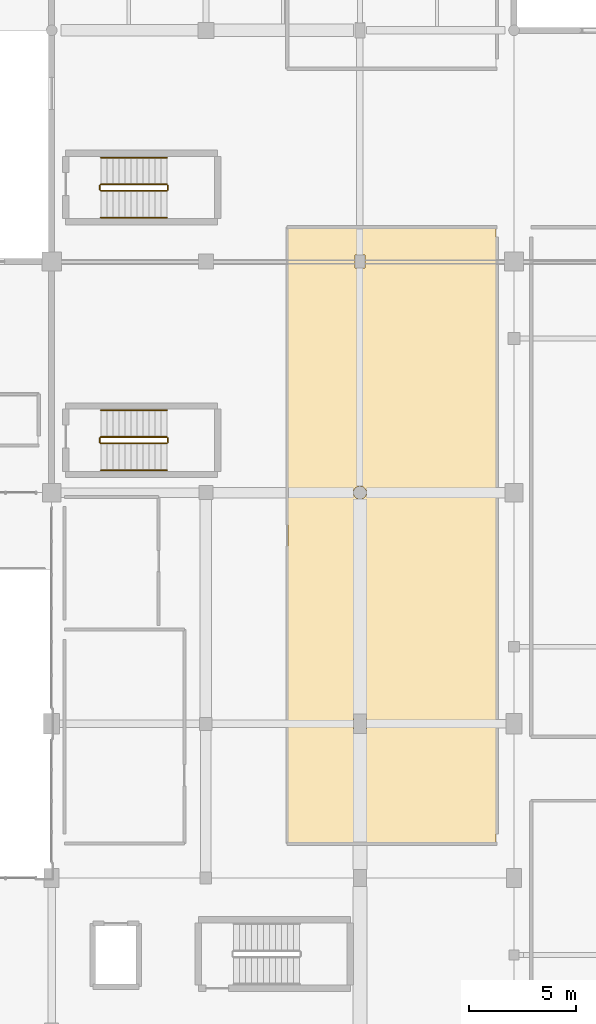
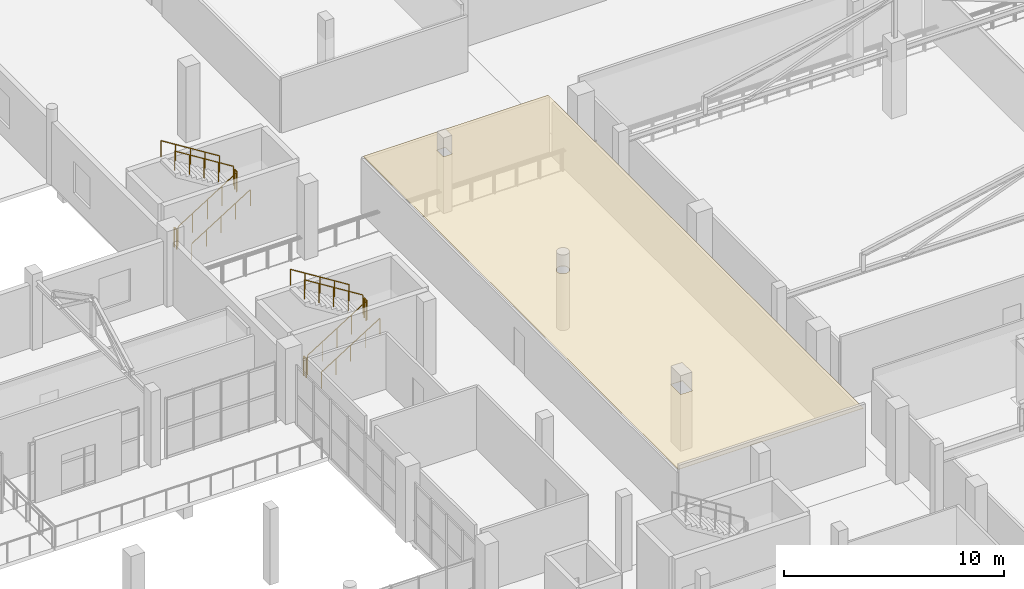
# One storey, part 88 of 92: 12 railings, 1 covering.
"""IFC4 building model written with IfcOpenShell, lengths in metres."""

from ifc_helpers import new_model, si_unit, direction, frame, origin, origin_2d, place, context, subcontext, project, spatial, polyline, circle, outline, extrude, material, layer, layer_set, type_object, element, save


model = new_model("IFC4")

# Units and contexts
model_context = context("Model", 3, precision=1e-05, world=origin(), true_north=direction((0.0, 1.0)))
body_context = subcontext(model_context, "Body", "Model", "MODEL_VIEW")
ifc_project = project(units=[si_unit("LENGTHUNIT", "METRE"), si_unit("AREAUNIT", "SQUARE_METRE"), si_unit("VOLUMEUNIT", "CUBIC_METRE"), si_unit("PLANEANGLEUNIT", "RADIAN"), si_unit("MASSUNIT", "GRAM", prefix="KILO")], contexts=[model_context])

# Site, building, storey
site_placement = place(None, origin())
site = spatial("IfcSite", under=ifc_project, at=site_placement, CompositionType="ELEMENT")
building_placement = place(site_placement, origin())
building = spatial("IfcBuilding", under=site, at=building_placement, Name="Solanera Park Tramway Depot", CompositionType="ELEMENT")
storey_placement = place(building_placement, frame((0.0, 0.0, 4.800048828125)))
storey = spatial("IfcBuildingStorey", under=building, at=storey_placement, Name="L01", CompositionType="ELEMENT", Elevation=4.800048828125)

# Covering
ifc_material_1 = material(Name="Acoustic perforated plasterboard and mineral-fibre ceiling")
ifc_layer_1 = layer(ifc_material_1, 0.02001953125)
ifc_layer_set_1 = layer_set([ifc_layer_1], Name="Acoustic perforated plasterboard and mineral-fibre ceiling")
covering_type = type_object("IfcCoveringType", Name="Acoustic Mineral-Fibre Ceiling 20", PredefinedType="CEILING", material=ifc_layer_set_1)
covering_placement = place(storey_placement, frame((0.0, 0.0, 3.14990234375)))
element("IfcCovering", 1, at=covering_placement, inside=storey, type_object=covering_type, Name="Fleet Maintenance Engineering Open Plan Acoustic Ceiling", PredefinedType="CEILING", context=body_context, shape_type="SweptSolid", body=[
    extrude(outline(polyline([(186.360107421875, 55.56005859375), (186.360107421875, 26.840087890625), (176.639892578125, 26.840087890625), (176.639892578125, 55.56005859375), (186.360107421875, 55.56005859375)]), holes=[polyline([(179.697021484375, 32.85302734375), (179.697021484375, 31.947021484375), (180.302978515625, 31.947021484375), (180.302978515625, 32.85302734375), (179.697021484375, 32.85302734375)]), polyline([(180.27978515625, 43.31591796875), (180.251953125, 43.368408203125), (180.21435546875, 43.414306640625), (180.168212890625, 43.451904296875), (180.115966796875, 43.47998046875), (180.05908203125, 43.497314453125), (180.0, 43.5029296875), (179.94091796875, 43.497314453125), (179.884033203125, 43.47998046875), (179.831787109375, 43.451904296875), (179.78564453125, 43.414306640625), (179.748046875, 43.368408203125), (179.72021484375, 43.31591796875), (179.702880859375, 43.259033203125), (179.697021484375, 43.199951171875), (179.702880859375, 43.140869140625), (179.72021484375, 43.083984375), (179.748046875, 43.03173828125), (179.78564453125, 42.985595703125), (179.831787109375, 42.947998046875), (179.884033203125, 42.920166015625), (179.94091796875, 42.90283203125), (180.0, 42.89697265625), (180.05908203125, 42.90283203125), (180.115966796875, 42.920166015625), (180.168212890625, 42.947998046875), (180.21435546875, 42.985595703125), (180.251953125, 43.03173828125), (180.27978515625, 43.083984375), (180.297119140625, 43.140869140625), (180.302978515625, 43.199951171875), (180.297119140625, 43.259033203125), (180.27978515625, 43.31591796875)]), polyline([(180.22802734375, 53.697021484375), (180.22802734375, 54.302978515625), (179.77197265625, 54.302978515625), (179.77197265625, 53.697021484375), (180.22802734375, 53.697021484375)])]), origin(), (0.0, 0.0, 1.0), 0.02001953125),
])

# Railings
ifc_material_2 = material(Name="Brushed stainless steel 316 handrail", Category="steel")
ifc_layer_2 = layer(ifc_material_2, 0.050048828125)
ifc_layer_set_2 = layer_set([ifc_layer_2], Name="Brushed stainless steel 316 handrail")
railing_type_1 = type_object("IfcRailingType", Name="Stair Pitch Tubular Handrail 920", PredefinedType="HANDRAIL", material=ifc_layer_set_2)
railing_1_placement = place(storey_placement, frame((167.89990234375, 44.25, 0.175048828125)))
element("IfcRailing", 2, at=railing_1_placement, inside=storey, type_object=railing_type_1, Name="ST-05 L01 Pitch Handrail 1", PredefinedType="HANDRAIL", context=body_context, shape_type="SweptSolid", body=[
    extrude(circle(Radius=0.02392578125, at=origin_2d()), frame((0.0, 0.0, 0.89599609375), z_axis=(0.848028513186, 0.0, 0.529950602248), x_axis=(0.0, 1.0, 0.0)), (0.0, 0.0, 1.0), 3.632080078125),
    extrude(circle(Radius=0.02099609375, at=origin_2d()), origin(), (0.0, 0.0, 1.0), 0.871826171875),
    extrude(circle(Radius=0.02099609375, at=origin_2d()), frame((0.77001953125, 0.0, 0.481201171875)), (0.0, 0.0, 1.0), 0.871826171875),
    extrude(circle(Radius=0.02099609375, at=origin_2d()), frame((1.5400390625, 0.0, 0.96240234375)), (0.0, 0.0, 1.0), 0.871826171875),
    extrude(circle(Radius=0.02099609375, at=origin_2d()), frame((2.31005859375, 0.0, 1.443603515625)), (0.0, 0.0, 1.0), 0.871826171875),
    extrude(circle(Radius=0.02099609375, at=origin_2d()), frame((3.080078125, 0.0, 1.9248046875)), (0.0, 0.0, 1.0), 0.871826171875),
])
railing_2_placement = place(storey_placement, frame((170.97998046875, 47.050048828125, 2.27490234375)))
element("IfcRailing", 3, at=railing_2_placement, inside=storey, type_object=railing_type_1, Name="ST-05 L01 Pitch Handrail 2", PredefinedType="HANDRAIL", context=body_context, shape_type="SweptSolid", body=[
    extrude(circle(Radius=0.02392578125, at=origin_2d()), frame((0.0, 0.0, 0.89599609375), z_axis=(-0.847998304005, 0.0, 0.529998940003), x_axis=(0.0, -1.0, 0.0)), (0.0, 0.0, 1.0), 3.632080078125),
    extrude(circle(Radius=0.02099609375, at=origin_2d()), origin(), (0.0, 0.0, 1.0), 0.871826171875),
    extrude(circle(Radius=0.02099609375, at=origin_2d()), frame((-0.77001953125, 0.0, 0.481201171875)), (0.0, 0.0, 1.0), 0.871826171875),
    extrude(circle(Radius=0.02099609375, at=origin_2d()), frame((-1.5400390625, 0.0, 0.96240234375)), (0.0, 0.0, 1.0), 0.871826171875),
    extrude(circle(Radius=0.02099609375, at=origin_2d()), frame((-2.31005859375, 0.0, 1.44384765625)), (0.0, 0.0, 1.0), 0.871826171875),
    extrude(circle(Radius=0.02099609375, at=origin_2d()), frame((-3.080078125, 0.0, 1.925048828125)), (0.0, 0.0, 1.0), 0.871826171875),
])
railing_3_placement = place(storey_placement, frame((167.89990234375, 56.050048828125, 0.175048828125)))
element("IfcRailing", 4, at=railing_3_placement, inside=storey, type_object=railing_type_1, Name="ST-06 L01 Pitch Handrail 1", PredefinedType="HANDRAIL", context=body_context, shape_type="SweptSolid", body=[
    extrude(circle(Radius=0.02392578125, at=origin_2d()), frame((0.0, 0.0, 0.89599609375), z_axis=(0.848028513186, 0.0, 0.529950602248), x_axis=(0.0, 1.0, 0.0)), (0.0, 0.0, 1.0), 3.632080078125),
    extrude(circle(Radius=0.02099609375, at=origin_2d()), origin(), (0.0, 0.0, 1.0), 0.871826171875),
    extrude(circle(Radius=0.02099609375, at=origin_2d()), frame((0.77001953125, 0.0, 0.481201171875)), (0.0, 0.0, 1.0), 0.871826171875),
    extrude(circle(Radius=0.02099609375, at=origin_2d()), frame((1.5400390625, 0.0, 0.96240234375)), (0.0, 0.0, 1.0), 0.871826171875),
    extrude(circle(Radius=0.02099609375, at=origin_2d()), frame((2.31005859375, 0.0, 1.443603515625)), (0.0, 0.0, 1.0), 0.871826171875),
    extrude(circle(Radius=0.02099609375, at=origin_2d()), frame((3.080078125, 0.0, 1.9248046875)), (0.0, 0.0, 1.0), 0.871826171875),
])
railing_4_placement = place(storey_placement, frame((170.97998046875, 58.85009765625, 2.27490234375)))
element("IfcRailing", 5, at=railing_4_placement, inside=storey, type_object=railing_type_1, Name="ST-06 L01 Pitch Handrail 2", PredefinedType="HANDRAIL", context=body_context, shape_type="SweptSolid", body=[
    extrude(circle(Radius=0.02392578125, at=origin_2d()), frame((0.0, 0.0, 0.89599609375), z_axis=(-0.847998304005, 0.0, 0.529998940003), x_axis=(0.0, -1.0, 0.0)), (0.0, 0.0, 1.0), 3.632080078125),
    extrude(circle(Radius=0.02099609375, at=origin_2d()), origin(), (0.0, 0.0, 1.0), 0.871826171875),
    extrude(circle(Radius=0.02099609375, at=origin_2d()), frame((-0.77001953125, 0.0, 0.481201171875)), (0.0, 0.0, 1.0), 0.871826171875),
    extrude(circle(Radius=0.02099609375, at=origin_2d()), frame((-1.5400390625, 0.0, 0.96240234375)), (0.0, 0.0, 1.0), 0.871826171875),
    extrude(circle(Radius=0.02099609375, at=origin_2d()), frame((-2.31005859375, 0.0, 1.44384765625)), (0.0, 0.0, 1.0), 0.871826171875),
    extrude(circle(Radius=0.02099609375, at=origin_2d()), frame((-3.080078125, 0.0, 1.925048828125)), (0.0, 0.0, 1.0), 0.871826171875),
])
ifc_material_3 = material(Name="Steel AS/NZS 1163 Grade C350L0", Category="steel")
ifc_layer_3 = layer(ifc_material_3, 0.06005859375)
ifc_layer_set_3 = layer_set([ifc_layer_3], Name="Steel AS/NZS 1163 Grade C350L0")
railing_type_2 = type_object("IfcRailingType", Name="Stairwell Guardrail 1100", PredefinedType="GUARDRAIL", material=ifc_layer_set_3)
railing_5_placement = place(storey_placement, frame((167.89990234375, 45.5, 0.175048828125)))
element("IfcRailing", 6, at=railing_5_placement, inside=storey, type_object=railing_type_2, Name="ST-05 L01 Well Guard 1", PredefinedType="GUARDRAIL", context=body_context, shape_type="SweptSolid", body=[
    extrude(circle(Radius=0.02392578125, at=origin_2d()), frame((0.0, 0.0, 1.076171875), z_axis=(0.848028513186, 0.0, 0.529950602248), x_axis=(0.0, 1.0, 0.0)), (0.0, 0.0, 1.0), 3.632080078125),
    extrude(circle(Radius=0.02099609375, at=origin_2d()), origin(), (0.0, 0.0, 1.0), 1.052001953125),
    extrude(circle(Radius=0.02099609375, at=origin_2d()), frame((0.77001953125, 0.0, 0.481201171875)), (0.0, 0.0, 1.0), 1.052001953125),
    extrude(circle(Radius=0.02099609375, at=origin_2d()), frame((1.5400390625, 0.0, 0.96240234375)), (0.0, 0.0, 1.0), 1.052001953125),
    extrude(circle(Radius=0.02099609375, at=origin_2d()), frame((2.31005859375, 0.0, 1.443603515625)), (0.0, 0.0, 1.0), 1.052001953125),
    extrude(circle(Radius=0.02099609375, at=origin_2d()), frame((3.080078125, 0.0, 1.9248046875)), (0.0, 0.0, 1.0), 1.052001953125),
])
railing_6_placement = place(storey_placement, frame((171.030029296875, 45.550048828125, 2.099853515625)))
element("IfcRailing", 7, at=railing_6_placement, inside=storey, type_object=railing_type_2, Name="ST-05 L01 Well Guard 2", PredefinedType="GUARDRAIL", context=body_context, shape_type="SweptSolid", body=[
    extrude(circle(Radius=0.02392578125, at=origin_2d()), frame((0.0, 0.0, 1.076171875), z_axis=(0.0, 1.0, 0.0), x_axis=(-1.0, 0.0, 0.0)), (0.0, 0.0, 1.0), 0.199951171875),
    extrude(circle(Radius=0.02099609375, at=origin_2d()), origin(), (0.0, 0.0, 1.0), 1.052001953125),
    extrude(circle(Radius=0.02099609375, at=origin_2d()), frame((0.0, 0.199951171875, 0.0)), (0.0, 0.0, 1.0), 1.052001953125),
])
railing_7_placement = place(storey_placement, frame((170.97998046875, 45.800048828125, 2.27490234375)))
element("IfcRailing", 8, at=railing_7_placement, inside=storey, type_object=railing_type_2, Name="ST-05 L01 Well Guard 3", PredefinedType="GUARDRAIL", context=body_context, shape_type="SweptSolid", body=[
    extrude(circle(Radius=0.02392578125, at=origin_2d()), frame((0.0, 0.0, 1.076171875), z_axis=(-0.847998304005, 0.0, 0.529998940003), x_axis=(0.0, -1.0, 0.0)), (0.0, 0.0, 1.0), 3.632080078125),
    extrude(circle(Radius=0.02099609375, at=origin_2d()), origin(), (0.0, 0.0, 1.0), 1.052001953125),
    extrude(circle(Radius=0.02099609375, at=origin_2d()), frame((-0.77001953125, 0.0, 0.481201171875)), (0.0, 0.0, 1.0), 1.052001953125),
    extrude(circle(Radius=0.02099609375, at=origin_2d()), frame((-1.5400390625, 0.0, 0.96240234375)), (0.0, 0.0, 1.0), 1.052001953125),
    extrude(circle(Radius=0.02099609375, at=origin_2d()), frame((-2.31005859375, 0.0, 1.44384765625)), (0.0, 0.0, 1.0), 1.052001953125),
    extrude(circle(Radius=0.02099609375, at=origin_2d()), frame((-3.080078125, 0.0, 1.925048828125)), (0.0, 0.0, 1.0), 1.052001953125),
])
railing_8_placement = place(storey_placement, frame((167.85009765625, 45.550048828125, 0.0)))
element("IfcRailing", 9, at=railing_8_placement, inside=storey, type_object=railing_type_2, Name="ST-05 L01 Well Guard 4", PredefinedType="GUARDRAIL", context=body_context, shape_type="SweptSolid", body=[
    extrude(circle(Radius=0.02392578125, at=origin_2d()), frame((0.0, 0.0, 1.076171875), z_axis=(0.0, 1.0, 0.0), x_axis=(-1.0, 0.0, 0.0)), (0.0, 0.0, 1.0), 0.199951171875),
    extrude(circle(Radius=0.02099609375, at=origin_2d()), origin(), (0.0, 0.0, 1.0), 1.052001953125),
    extrude(circle(Radius=0.02099609375, at=origin_2d()), frame((0.0, 0.199951171875, 0.0)), (0.0, 0.0, 1.0), 1.052001953125),
])
railing_9_placement = place(storey_placement, frame((167.89990234375, 57.300048828125, 0.175048828125)))
element("IfcRailing", 10, at=railing_9_placement, inside=storey, type_object=railing_type_2, Name="ST-06 L01 Well Guard 1", PredefinedType="GUARDRAIL", context=body_context, shape_type="SweptSolid", body=[
    extrude(circle(Radius=0.02392578125, at=origin_2d()), frame((0.0, 0.0, 1.076171875), z_axis=(0.848028513186, 0.0, 0.529950602248), x_axis=(0.0, 1.0, 0.0)), (0.0, 0.0, 1.0), 3.632080078125),
    extrude(circle(Radius=0.02099609375, at=origin_2d()), origin(), (0.0, 0.0, 1.0), 1.052001953125),
    extrude(circle(Radius=0.02099609375, at=origin_2d()), frame((0.77001953125, 0.0, 0.481201171875)), (0.0, 0.0, 1.0), 1.052001953125),
    extrude(circle(Radius=0.02099609375, at=origin_2d()), frame((1.5400390625, 0.0, 0.96240234375)), (0.0, 0.0, 1.0), 1.052001953125),
    extrude(circle(Radius=0.02099609375, at=origin_2d()), frame((2.31005859375, 0.0, 1.443603515625)), (0.0, 0.0, 1.0), 1.052001953125),
    extrude(circle(Radius=0.02099609375, at=origin_2d()), frame((3.080078125, 0.0, 1.9248046875)), (0.0, 0.0, 1.0), 1.052001953125),
])
railing_10_placement = place(storey_placement, frame((171.030029296875, 57.35009765625, 2.099853515625)))
element("IfcRailing", 11, at=railing_10_placement, inside=storey, type_object=railing_type_2, Name="ST-06 L01 Well Guard 2", PredefinedType="GUARDRAIL", context=body_context, shape_type="SweptSolid", body=[
    extrude(circle(Radius=0.02392578125, at=origin_2d()), frame((0.0, 0.0, 1.076171875), z_axis=(0.0, 1.0, 0.0), x_axis=(-1.0, 0.0, 0.0)), (0.0, 0.0, 1.0), 0.199951171875),
    extrude(circle(Radius=0.02099609375, at=origin_2d()), origin(), (0.0, 0.0, 1.0), 1.052001953125),
    extrude(circle(Radius=0.02099609375, at=origin_2d()), frame((0.0, 0.199951171875, 0.0)), (0.0, 0.0, 1.0), 1.052001953125),
])
railing_11_placement = place(storey_placement, frame((170.97998046875, 57.60009765625, 2.27490234375)))
element("IfcRailing", 12, at=railing_11_placement, inside=storey, type_object=railing_type_2, Name="ST-06 L01 Well Guard 3", PredefinedType="GUARDRAIL", context=body_context, shape_type="SweptSolid", body=[
    extrude(circle(Radius=0.02392578125, at=origin_2d()), frame((0.0, 0.0, 1.076171875), z_axis=(-0.847998304005, 0.0, 0.529998940003), x_axis=(0.0, -1.0, 0.0)), (0.0, 0.0, 1.0), 3.632080078125),
    extrude(circle(Radius=0.02099609375, at=origin_2d()), origin(), (0.0, 0.0, 1.0), 1.052001953125),
    extrude(circle(Radius=0.02099609375, at=origin_2d()), frame((-0.77001953125, 0.0, 0.481201171875)), (0.0, 0.0, 1.0), 1.052001953125),
    extrude(circle(Radius=0.02099609375, at=origin_2d()), frame((-1.5400390625, 0.0, 0.96240234375)), (0.0, 0.0, 1.0), 1.052001953125),
    extrude(circle(Radius=0.02099609375, at=origin_2d()), frame((-2.31005859375, 0.0, 1.44384765625)), (0.0, 0.0, 1.0), 1.052001953125),
    extrude(circle(Radius=0.02099609375, at=origin_2d()), frame((-3.080078125, 0.0, 1.925048828125)), (0.0, 0.0, 1.0), 1.052001953125),
])
railing_12_placement = place(storey_placement, frame((167.85009765625, 57.35009765625, 0.0)))
element("IfcRailing", 13, at=railing_12_placement, inside=storey, type_object=railing_type_2, Name="ST-06 L01 Well Guard 4", PredefinedType="GUARDRAIL", context=body_context, shape_type="SweptSolid", body=[
    extrude(circle(Radius=0.02392578125, at=origin_2d()), frame((0.0, 0.0, 1.076171875), z_axis=(0.0, 1.0, 0.0), x_axis=(-1.0, 0.0, 0.0)), (0.0, 0.0, 1.0), 0.199951171875),
    extrude(circle(Radius=0.02099609375, at=origin_2d()), origin(), (0.0, 0.0, 1.0), 1.052001953125),
    extrude(circle(Radius=0.02099609375, at=origin_2d()), frame((0.0, 0.199951171875, 0.0)), (0.0, 0.0, 1.0), 1.052001953125),
])

save(model, "model.ifc")
